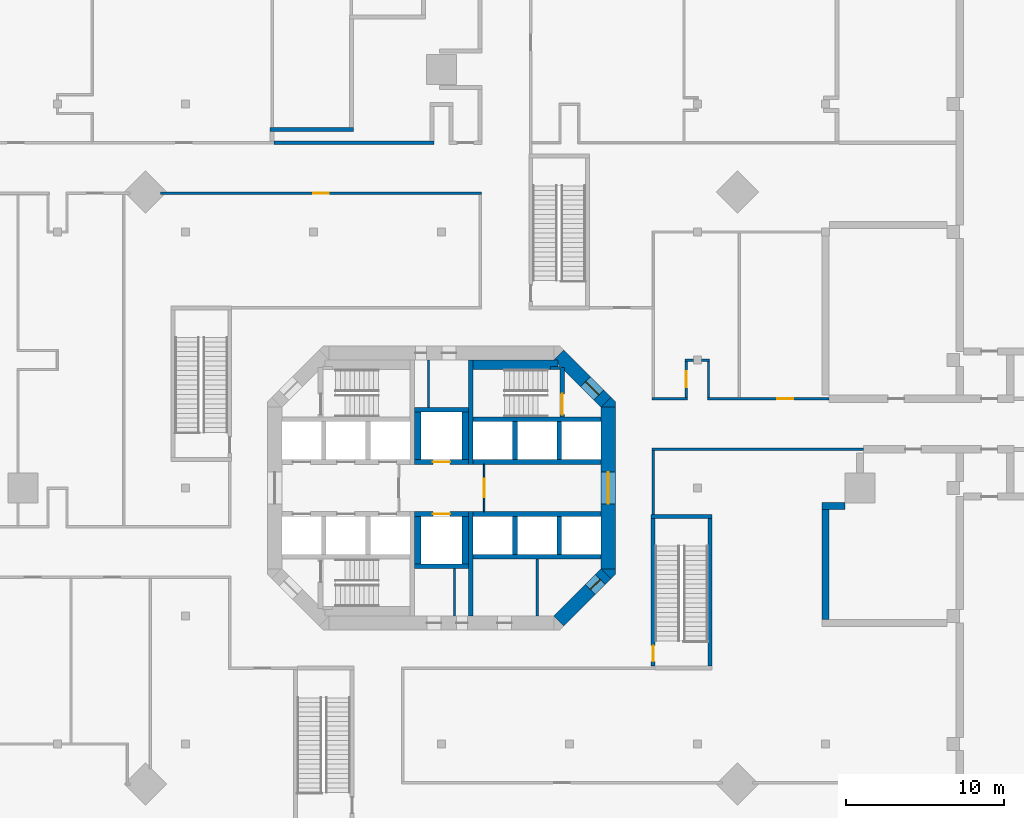
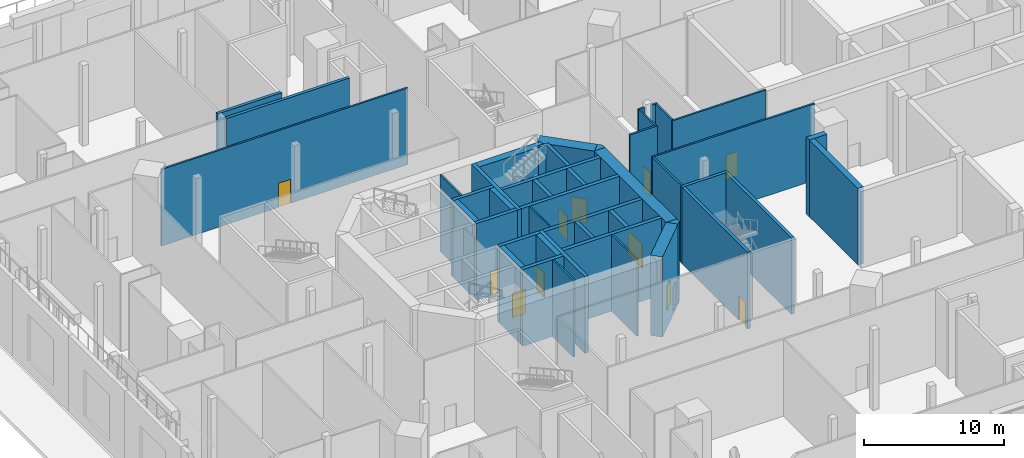
# One storey, part 10 of 21: 46 walls, 11 doors, 11 openings.
"""IFC4 building model written with IfcOpenShell, lengths in metres."""

import ifcopenshell
import ifcopenshell.guid

model = None  # the IFC model being written
_history = None  # IfcOwnerHistory: only IFC2X3 demands one
_inside = {}  # id of a spatial element -> (the spatial element, [elements in it])
_under = {}  # id of a project, library or spatial element -> (it, [spatial elements below it])
_declared = {}  # id of a project -> (the project, [libraries it declares])
_typed = {}  # id of a type object -> (the type object, [elements of that type])
_made_of = {}  # id of a material, layer set ... -> (it, [elements and type objects made of it])


def new_model(schema):
    """Start an empty IFC model of exactly this schema.

    Asked for "IFC4X3", IfcOpenShell would pick the latest addendum, in which some entities
    have other attributes; the version numbers below select the first issue.
    IFC2X3 requires an IfcOwnerHistory on every rooted entity: one is made here for all.
    """
    global model, _history
    if schema == "IFC4X3":
        model = ifcopenshell.file(schema_version=(4, 3, 0, 0))
    else:
        model = ifcopenshell.file(schema=schema)
    _inside.clear()
    _under.clear()
    _declared.clear()
    _typed.clear()
    _made_of.clear()
    _history = None
    if model.schema == "IFC2X3":
        org = make("IfcOrganization", Name="unknown")
        user = make(
            "IfcPersonAndOrganization",
            ThePerson=make("IfcPerson", FamilyName="unknown"),
            TheOrganization=org,
        )
        app = make(
            "IfcApplication",
            ApplicationDeveloper=org,
            Version="unknown",
            ApplicationFullName="unknown",
            ApplicationIdentifier="unknown",
        )
        _history = make(
            "IfcOwnerHistory",
            OwningUser=user,
            OwningApplication=app,
            ChangeAction="ADDED",
            CreationDate=0,
        )
    return model


def make(cls, **values):
    """One entity of the class cls with the attributes given. An attribute that is None is left unset."""
    return model.create_entity(
        cls, **{name: value for name, value in values.items() if value is not None}
    )


def rooted(cls, **values):
    """An entity with a GlobalId (a new one), such as an element, a storey or a relation."""
    return make(cls, GlobalId=ifcopenshell.guid.new(), OwnerHistory=_history, **values)


def si_unit(unit_type, name, prefix=None):
    """IfcSIUnit, for example si_unit("LENGTHUNIT", "METRE", prefix="MILLI")."""
    return make("IfcSIUnit", UnitType=unit_type, Prefix=prefix, Name=name)


def assignment(units):
    """IfcUnitAssignment: the units of a project."""
    return None if units is None else make("IfcUnitAssignment", Units=units)


def point(xyz):
    """IfcCartesianPoint."""
    return None if xyz is None else make("IfcCartesianPoint", Coordinates=xyz)


def direction(xyz):
    """IfcDirection."""
    return None if xyz is None else make("IfcDirection", DirectionRatios=xyz)


def frame(location, z_axis=None, x_axis=None):
    """IfcAxis2Placement3D, a coordinate frame: its origin and axes. An axis left out is left unset."""
    return make(
        "IfcAxis2Placement3D",
        Location=point(location),
        Axis=direction(z_axis),
        RefDirection=direction(x_axis),
    )


def frame_2d(location, x_axis=None):
    """IfcAxis2Placement2D, a coordinate frame in the plane: its origin and x axis."""
    return make(
        "IfcAxis2Placement2D", Location=point(location), RefDirection=direction(x_axis)
    )


def origin():
    """The frame at (0, 0, 0) with its axes left unset."""
    return frame((0.0, 0.0, 0.0))


def place(relative_to, where):
    """IfcLocalPlacement: puts the frame where relative to a parent placement (None: the world)."""
    return make(
        "IfcLocalPlacement", PlacementRelTo=relative_to, RelativePlacement=where
    )


def context(
    kind, dimensions, precision=None, world=None, true_north=None, identifier=None
):
    """IfcGeometricRepresentationContext, for example the 3D "Model" context."""
    return make(
        "IfcGeometricRepresentationContext",
        ContextIdentifier=identifier,
        ContextType=kind,
        CoordinateSpaceDimension=dimensions,
        Precision=precision,
        WorldCoordinateSystem=world,
        TrueNorth=true_north,
    )


def subcontext(parent, identifier, kind, view, scale=None):
    """IfcGeometricRepresentationSubContext, for example "Body" below "Model"."""
    return make(
        "IfcGeometricRepresentationSubContext",
        ContextIdentifier=identifier,
        ContextType=kind,
        ParentContext=parent,
        TargetScale=scale,
        TargetView=view,
    )


def project(units=None, contexts=None):
    """IfcProject with its units and contexts."""
    return rooted(
        "IfcProject",
        Name="project",
        RepresentationContexts=contexts,
        UnitsInContext=assignment(units),
    )


def spatial(cls, under=None, at=None, **own):
    """A site, building, storey or space (cls), placed at a placement, below another one or the project."""
    s = rooted(cls, ObjectPlacement=at, **own)
    if under is not None:
        _under.setdefault(under.id(), (under, []))[1].append(s)
    return s


def polyline(points):
    """IfcPolyline through the points."""
    return make("IfcPolyline", Points=[point(p) for p in points])


def profile(cls, at=None, kind="AREA", **sizes):
    """A parametric profile (cls). Its sizes go by their IFC names, for example OverallWidth=200.0."""
    return make(cls, ProfileType=kind, Position=at, **sizes)


def rectangle(**sizes):
    """IfcRectangleProfileDef."""
    return profile("IfcRectangleProfileDef", **sizes)


def outline(outer, holes=None, kind="AREA"):
    """IfcArbitraryClosedProfileDef: a profile drawn as a closed curve; with holes, ...WithVoids."""
    if holes is None:
        return make("IfcArbitraryClosedProfileDef", ProfileType=kind, OuterCurve=outer)
    return make(
        "IfcArbitraryProfileDefWithVoids",
        ProfileType=kind,
        OuterCurve=outer,
        InnerCurves=holes,
    )


def extrude(swept, where, along, depth):
    """IfcExtrudedAreaSolid: the profile swept, set in the frame where, extruded along a direction by depth."""
    return make(
        "IfcExtrudedAreaSolid",
        SweptArea=swept,
        Position=where,
        ExtrudedDirection=direction(along),
        Depth=depth,
    )


def shape(context_of_items, identifier, shape_type, items):
    """IfcShapeRepresentation: the items that make up one representation, for example the "Body"."""
    return make(
        "IfcShapeRepresentation",
        ContextOfItems=context_of_items,
        RepresentationIdentifier=identifier,
        RepresentationType=shape_type,
        Items=items,
    )


def material(Name=None, Category=None):
    """IfcMaterial."""
    return make("IfcMaterial", Name=Name, Category=Category)


def layer(
    of_material, thickness, ventilated=None, Name=None, Category=None, Priority=None
):
    """IfcMaterialLayer: one layer of a wall or slab, of a material (None: an air gap)."""
    return make(
        "IfcMaterialLayer",
        Material=of_material,
        LayerThickness=thickness,
        IsVentilated=ventilated,
        Name=Name,
        Category=Category,
        Priority=Priority,
    )


def layer_set(layers, Name=None):
    """IfcMaterialLayerSet."""
    return make("IfcMaterialLayerSet", MaterialLayers=layers, LayerSetName=Name)


def made_of(thing, what):
    """Note that an element or type object is made of a material, layer set ...; save() writes the relation."""
    if what is not None:
        _made_of.setdefault(what.id(), (what, []))[1].append(thing)
    return thing


def type_object(cls, material=None, **own):
    """A type object (cls), such as IfcWallType, which elements share."""
    return made_of(rooted(cls, **own), material)


def element(
    cls,
    number,
    at=None,
    inside=None,
    cuts=None,
    type_object=None,
    material=None,
    context=None,
    identifier="Body",
    shape_type=None,
    held_by="IfcProductDefinitionShape",
    body=None,
    shapes=None,
    **own,
):
    """One element of the class cls, such as IfcWall. Its Tag is "e" and its number.

    at: its placement. inside: the storey or other place that contains it. cuts: it is an
    opening in that element (IfcRelVoidsElement). A single representation is given by context,
    identifier, shape_type and body (its items); several are given by shapes. held_by: the class
    of the entity that holds the representations. save() writes the other relations.
    """
    e = rooted(cls, Tag="e%d" % number, ObjectPlacement=at, **own)
    if body is not None:
        shapes = [shape(context, identifier, shape_type, body)]
    if shapes is not None:
        e.Representation = make(held_by, Representations=shapes)
    if inside is not None:
        _inside.setdefault(inside.id(), (inside, []))[1].append(e)
    if cuts is not None:
        rooted(
            "IfcRelVoidsElement", RelatingBuildingElement=cuts, RelatedOpeningElement=e
        )
    if type_object is not None:
        _typed.setdefault(type_object.id(), (type_object, []))[1].append(e)
    return made_of(e, material)


def fill(opening, filler):
    """IfcRelFillsElement: the door or window that sits in an opening."""
    return rooted(
        "IfcRelFillsElement",
        RelatingOpeningElement=opening,
        RelatedBuildingElement=filler,
    )


def aggregate(whole, parts):
    """IfcRelAggregates: a whole, such as a stair, and the parts it consists of."""
    return rooted("IfcRelAggregates", RelatingObject=whole, RelatedObjects=parts)


def save(model, path):
    """Write the relations noted so far, then the file.

    IfcRelAggregates (storeys below a building ...), IfcRelContainedInSpatialStructure (elements
    in a storey), IfcRelDefinesByType, IfcRelAssociatesMaterial and IfcRelDeclares: one each for
    every whole, place, type object, material and project.
    """
    for whole, parts in _under.values():
        aggregate(whole, parts)
    for where, things in _inside.values():
        rooted(
            "IfcRelContainedInSpatialStructure",
            RelatedElements=things,
            RelatingStructure=where,
        )
    for kind, things in _typed.values():
        rooted("IfcRelDefinesByType", RelatedObjects=things, RelatingType=kind)
    for what, things in _made_of.values():
        rooted("IfcRelAssociatesMaterial", RelatedObjects=things, RelatingMaterial=what)
    for by, libraries in _declared.values():
        rooted("IfcRelDeclares", RelatingContext=by, RelatedDefinitions=libraries)
    model.write(path)


model = new_model("IFC4")

# Units and contexts
model_context = context("Model", 3, precision=1e-05, world=origin(), true_north=direction((0.0, 1.0)))
body_context = subcontext(model_context, "Body", "Model", "MODEL_VIEW")
ifc_project = project(units=[si_unit("LENGTHUNIT", "METRE"), si_unit("AREAUNIT", "SQUARE_METRE"), si_unit("VOLUMEUNIT", "CUBIC_METRE"), si_unit("PLANEANGLEUNIT", "RADIAN"), si_unit("MASSUNIT", "GRAM", prefix="KILO")], contexts=[model_context])

# Site, building, storey
site_placement = place(None, origin())
site = spatial("IfcSite", under=ifc_project, at=site_placement, CompositionType="ELEMENT")
building_placement = place(site_placement, origin())
building = spatial("IfcBuilding", under=site, at=building_placement, Name="Torre Triforio", CompositionType="ELEMENT")
storey_placement = place(building_placement, frame((0.0, 0.0, 6.0)))
storey = spatial("IfcBuildingStorey", under=building, at=storey_placement, Name="L01", CompositionType="ELEMENT", Elevation=6.0)

# Walls
ifc_material_1 = material(Name="Concrete C60", Category="concrete")
ifc_layer_1 = layer(ifc_material_1, 0.300048828125)
ifc_layer_set_1 = layer_set([ifc_layer_1], Name="Concrete C60")
wall_type_1 = type_object("IfcWallType", Name="Core wall 300 mm C60 EI 120", PredefinedType="SHEAR", material=ifc_layer_set_1)
for number, where, z_axis, x_axis, name in (
    (1, (1.85009765625, 1.5, 0.0), (0.0, 0.0, 1.0), (0.0, 1.0, 0.0), "Core wall"),
    (2, (1.85009765625, -8.10009765625, 0.0), (0.0, 0.0, 1.0), (0.0, 1.0, 0.0), "Core wall"),
):
    element("IfcWall", number, at=place(storey_placement, frame(where, z_axis=z_axis, x_axis=x_axis)), inside=storey, type_object=wall_type_1, Name=name, PredefinedType="SHEAR", context=body_context, shape_type="SweptSolid", body=[
        extrude(rectangle(XDim=6.60009765625, YDim=0.300048828125, at=frame_2d((3.300048828125, 0.0))), origin(), (0.0, 0.0, 1.0), 6.679931640625),
    ])

# Wall, opening, door
ifc_layer_2 = layer(ifc_material_1, 0.89990234375)
ifc_layer_set_2 = layer_set([ifc_layer_2], Name="Concrete C60")
wall_type_2 = type_object("IfcWallType", Name="Core wall 900 mm C60 EI 120", PredefinedType="SHEAR", material=ifc_layer_set_2)
wall_1_placement = place(storey_placement, frame((10.550048828125, -5.1298828125, -0.320068359375), z_axis=(0.0, 0.0, 1.0), x_axis=(0.0, 1.0, 0.0)))
wall_1 = element("IfcWall", 3, at=wall_1_placement, inside=storey, type_object=wall_type_2, Name="Core wall", PredefinedType="SHEAR", context=body_context, shape_type="SweptSolid", body=[
    extrude(rectangle(XDim=10.259765625, YDim=0.89990234375, at=frame_2d((5.1298828125, 0.0))), origin(), (0.0, 0.0, 1.0), 7.0),
])
opening_1_placement = place(wall_1_placement, frame((4.1298828125, 0.0, 0.320068359375)))
opening_1 = element("IfcOpeningElement", 4, at=opening_1_placement, cuts=wall_1, Name="Opening E-RING", PredefinedType="OPENING", context=body_context, shape_type="SweptSolid", body=[
    extrude(rectangle(XDim=2.0, YDim=2.10009765625, at=frame_2d((1.0, 1.050048828125))), frame((0.0, 0.4599609375, 0.0), z_axis=(0.0, -1.0, 0.0), x_axis=(1.0, 0.0, 0.0)), (0.0, 0.0, 1.0), 0.919921875),
])
ifc_material_2 = material(Name="Hollow metal fire door leaf")
door_type_1 = type_object("IfcDoorType", Name="Lobby door 2000 x 2100 EI 60", OperationType="DOUBLE_DOOR_SINGLE_SWING", PredefinedType="DOOR", material=ifc_material_2)
door_1_placement = place(opening_1_placement, origin())
door_1 = element("IfcDoor", 5, at=door_1_placement, inside=storey, type_object=door_type_1, Name="Core door E-RING", OperationType="DOUBLE_DOOR_SINGLE_SWING", OverallHeight=2.10009765625, OverallWidth=2.0, PredefinedType="DOOR", context=body_context, shape_type="SweptSolid", body=[
    extrude(rectangle(XDim=2.0, YDim=2.10009765625, at=frame_2d((1.0, 1.050048828125))), frame((0.0, 0.02490234375, 0.0), z_axis=(0.0, -1.0, 0.0), x_axis=(1.0, 0.0, 0.0)), (0.0, 0.0, 1.0), 0.050048828125),
])
fill(opening_1, door_1)

wall_2_placement = place(storey_placement, frame((7.418212890625, 8.418212890625, -0.320068359375), z_axis=(0.0, 0.0, 1.0), x_axis=(0.707106781187, -0.707106781187, 0.0)))
wall_2 = element("IfcWall", 6, at=wall_2_placement, inside=storey, type_object=wall_type_2, Name="Core wall", PredefinedType="SHEAR", context=body_context, shape_type="SweptSolid", body=[
    extrude(rectangle(XDim=4.24267578125, YDim=0.89990234375, at=frame_2d((2.121337890625, 0.0))), origin(), (0.0, 0.0, 1.0), 7.0),
])
opening_2_placement = place(wall_2_placement, frame((2.392578125, 0.0, 0.320068359375)))
opening_2 = element("IfcOpeningElement", 7, at=opening_2_placement, cuts=wall_2, Name="Opening ST2-EXIT", PredefinedType="OPENING", context=body_context, shape_type="SweptSolid", body=[
    extrude(rectangle(XDim=1.199951171875, YDim=2.10009765625, at=frame_2d((0.60009765625, 1.050048828125))), frame((0.0, 0.4599609375, 0.0), z_axis=(0.0, -1.0, 0.0), x_axis=(1.0, 0.0, 0.0)), (0.0, 0.0, 1.0), 0.919921875),
])
door_type_2 = type_object("IfcDoorType", Name="Stair lobby door 1200 x 2100 EI 60", OperationType="NOTDEFINED", PredefinedType="DOOR", material=ifc_material_2)
door_2_placement = place(opening_2_placement, origin())
door_2 = element("IfcDoor", 8, at=door_2_placement, inside=storey, type_object=door_type_2, Name="Core door ST2-EXIT", OperationType="SINGLE_SWING_RIGHT", OverallHeight=2.10009765625, OverallWidth=1.199951171875, PredefinedType="DOOR", context=body_context, shape_type="SweptSolid", body=[
    extrude(rectangle(XDim=1.199951171875, YDim=2.10009765625, at=frame_2d((0.60009765625, 1.050048828125))), frame((0.0, 0.02490234375, 0.0), z_axis=(0.0, -1.0, 0.0), x_axis=(1.0, 0.0, 0.0)), (0.0, 0.0, 1.0), 0.050048828125),
])
fill(opening_2, door_2)

wall_3_placement = place(storey_placement, frame((10.418212890625, -5.418212890625, -0.320068359375), z_axis=(0.0, 0.0, 1.0), x_axis=(-0.707106781187, -0.707106781187, 0.0)))
wall_3 = element("IfcWall", 9, at=wall_3_placement, inside=storey, type_object=wall_type_2, Name="Core wall", PredefinedType="SHEAR", context=body_context, shape_type="SweptSolid", body=[
    extrude(rectangle(XDim=4.24267578125, YDim=0.89990234375, at=frame_2d((2.121337890625, 0.0))), origin(), (0.0, 0.0, 1.0), 7.0),
])
opening_3_placement = place(wall_3_placement, frame((0.52001953125, 0.0, 0.320068359375)))
opening_3 = element("IfcOpeningElement", 10, at=opening_3_placement, cuts=wall_3, Name="Opening SE-02", PredefinedType="OPENING", context=body_context, shape_type="SweptSolid", body=[
    extrude(rectangle(XDim=0.89990234375, YDim=2.10009765625, at=frame_2d((0.449951171875, 1.050048828125))), frame((0.0, 0.4599609375, 0.0), z_axis=(0.0, -1.0, 0.0), x_axis=(1.0, 0.0, 0.0)), (0.0, 0.0, 1.0), 0.919921875),
])
door_type_3 = type_object("IfcDoorType", Name="Room door 900 x 2100 EI 60", OperationType="NOTDEFINED", PredefinedType="DOOR", material=ifc_material_2)
door_3_placement = place(opening_3_placement, origin())
door_3 = element("IfcDoor", 11, at=door_3_placement, inside=storey, type_object=door_type_3, Name="Core door SE-02", OperationType="SINGLE_SWING_RIGHT", OverallHeight=2.10009765625, OverallWidth=0.89990234375, PredefinedType="DOOR", context=body_context, shape_type="SweptSolid", body=[
    extrude(rectangle(XDim=0.89990234375, YDim=2.10009765625, at=frame_2d((0.449951171875, 1.050048828125))), frame((0.0, 0.02490234375, 0.0), z_axis=(0.0, -1.0, 0.0), x_axis=(1.0, 0.0, 0.0)), (0.0, 0.0, 1.0), 0.050048828125),
])
fill(opening_3, door_3)

# Walls
wall_4_placement = place(storey_placement, frame((0.0, 0.0, -0.320068359375)))
element("IfcWall", 12, at=wall_4_placement, inside=storey, type_object=wall_type_2, Name="Core wall", PredefinedType="SHEAR", context=body_context, shape_type="SweptSolid", body=[
    extrude(outline(polyline([(11.0, -5.472900390625), (10.736328125, -5.736328125), (10.1298828125, -5.1298828125), (11.0, -5.1298828125), (11.0, -5.472900390625)])), origin(), (0.0, 0.0, 1.0), 7.0),
])
wall_5_placement = place(storey_placement, frame((0.0, 0.0, -0.320068359375)))
element("IfcWall", 13, at=wall_5_placement, inside=storey, type_object=wall_type_2, Name="Core wall", PredefinedType="SHEAR", context=body_context, shape_type="SweptSolid", body=[
    extrude(outline(polyline([(11.0, 5.472900390625), (11.0, 5.1298828125), (10.1298828125, 5.1298828125), (10.736328125, 5.736328125), (11.0, 5.472900390625)])), origin(), (0.0, 0.0, 1.0), 7.0),
])
ifc_material_3 = material(Name="Plasterboard on metal studs")
ifc_layer_3 = layer(ifc_material_3, 0.14990234375)
ifc_layer_set_3 = layer_set([ifc_layer_3], Name="Plasterboard on metal studs")
wall_type_3 = type_object("IfcWallType", Name="Corridor wall 150 EI 60", PredefinedType="PARTITIONING", material=ifc_layer_set_3)
wall_6_placement = place(storey_placement, frame((13.324951171875, 5.64990234375, 0.0), z_axis=(0.0, 0.0, 1.0), x_axis=(1.0, 0.0, 0.0)))
element("IfcWall", 14, at=wall_6_placement, inside=storey, type_object=wall_type_3, Name="Corridor wall L01 076", PredefinedType="PARTITIONING", context=body_context, shape_type="SweptSolid", body=[
    extrude(rectangle(XDim=2.25, YDim=0.14990234375, at=frame_2d((1.125, 0.0))), origin(), (0.0, 0.0, 1.0), 6.679931640625),
])

# Wall, opening, door
wall_7_placement = place(storey_placement, frame((16.824951171875, 5.64990234375, 0.0), z_axis=(0.0, 0.0, 1.0), x_axis=(1.0, 0.0, 0.0)))
wall_7 = element("IfcWall", 15, at=wall_7_placement, inside=storey, type_object=wall_type_3, Name="Corridor wall L01 077", PredefinedType="PARTITIONING", context=body_context, shape_type="SweptSolid", body=[
    extrude(rectangle(XDim=7.699951171875, YDim=0.14990234375, at=frame_2d((3.85009765625, 0.0))), origin(), (0.0, 0.0, 1.0), 6.679931640625),
])
opening_4_placement = place(wall_7_placement, frame((4.43505859375, 0.0, 0.0)))
opening_4 = element("IfcOpeningElement", 16, at=opening_4_placement, cuts=wall_7, Name="Opening P1-30", PredefinedType="OPENING", context=body_context, shape_type="SweptSolid", body=[
    extrude(rectangle(XDim=1.0, YDim=2.10009765625, at=frame_2d((0.5, 1.050048828125))), frame((0.0, 0.0849609375, 0.0), z_axis=(0.0, -1.0, 0.0), x_axis=(1.0, 0.0, 0.0)), (0.0, 0.0, 1.0), 0.169921875),
])
ifc_material_4 = material(Name="Timber door leaf", Category="wood")
door_type_4 = type_object("IfcDoorType", Name="Single door 1000 x 2100 EI 30", OperationType="NOTDEFINED", PredefinedType="DOOR", material=ifc_material_4)
door_4_placement = place(opening_4_placement, origin())
door_4 = element("IfcDoor", 17, at=door_4_placement, inside=storey, type_object=door_type_4, Name="Door P1-30", OperationType="SINGLE_SWING_LEFT", OverallHeight=2.10009765625, OverallWidth=1.0, PredefinedType="DOOR", context=body_context, shape_type="SweptSolid", body=[
    extrude(rectangle(XDim=1.0, YDim=2.10009765625, at=frame_2d((0.5, 1.050048828125))), frame((0.0, 0.02490234375, 0.0), z_axis=(0.0, -1.0, 0.0), x_axis=(1.0, 0.0, 0.0)), (0.0, 0.0, 1.0), 0.050048828125),
])
fill(opening_4, door_4)

# Walls
wall_8_placement = place(storey_placement, frame((15.425048828125, 8.080078125, 0.0), z_axis=(0.0, 0.0, 1.0), x_axis=(1.0, 0.0, 0.0)))
element("IfcWall", 18, at=wall_8_placement, inside=storey, type_object=wall_type_3, Name="Corridor wall L01 078", PredefinedType="PARTITIONING", context=body_context, shape_type="SweptSolid", body=[
    extrude(rectangle(XDim=0.514892578125, YDim=0.14990234375, at=frame_2d((0.25732421875, 0.0))), origin(), (0.0, 0.0, 1.0), 6.679931640625),
])
wall_9_placement = place(storey_placement, frame((16.4599609375, 8.080078125, 0.0), z_axis=(0.0, 0.0, 1.0), x_axis=(1.0, 0.0, 0.0)))
element("IfcWall", 19, at=wall_9_placement, inside=storey, type_object=wall_type_3, Name="Corridor wall L01 079", PredefinedType="PARTITIONING", context=body_context, shape_type="SweptSolid", body=[
    extrude(rectangle(XDim=0.51513671875, YDim=0.14990234375, at=frame_2d((0.257568359375, 0.0))), origin(), (0.0, 0.0, 1.0), 6.679931640625),
])

# Wall, opening, door
wall_10_placement = place(storey_placement, frame((15.5, 5.72509765625, 0.0), z_axis=(0.0, 0.0, 1.0), x_axis=(0.0, 1.0, 0.0)))
wall_10 = element("IfcWall", 20, at=wall_10_placement, inside=storey, type_object=wall_type_3, Name="Corridor wall L01 080", PredefinedType="PARTITIONING", context=body_context, shape_type="SweptSolid", body=[
    extrude(rectangle(XDim=2.27978515625, YDim=0.14990234375, at=frame_2d((1.139892578125, 0.0))), origin(), (0.0, 0.0, 1.0), 6.679931640625),
])
opening_5_placement = place(wall_10_placement, frame((0.64990234375, 0.0, 0.0)))
opening_5 = element("IfcOpeningElement", 21, at=opening_5_placement, cuts=wall_10, Name="Opening P1-29", PredefinedType="OPENING", context=body_context, shape_type="SweptSolid", body=[
    extrude(rectangle(XDim=1.0, YDim=2.10009765625, at=frame_2d((0.5, 1.050048828125))), frame((0.0, 0.0849609375, 0.0), z_axis=(0.0, -1.0, 0.0), x_axis=(1.0, 0.0, 0.0)), (0.0, 0.0, 1.0), 0.169921875),
])
door_5_placement = place(opening_5_placement, origin())
door_5 = element("IfcDoor", 22, at=door_5_placement, inside=storey, type_object=door_type_4, Name="Door P1-29", OperationType="SINGLE_SWING_LEFT", OverallHeight=2.10009765625, OverallWidth=1.0, PredefinedType="DOOR", context=body_context, shape_type="SweptSolid", body=[
    extrude(rectangle(XDim=1.0, YDim=2.10009765625, at=frame_2d((0.5, 1.050048828125))), frame((0.0, 0.02490234375, 0.0), z_axis=(0.0, -1.0, 0.0), x_axis=(1.0, 0.0, 0.0)), (0.0, 0.0, 1.0), 0.050048828125),
])
fill(opening_5, door_5)

# Walls
wall_11_placement = place(storey_placement, frame((16.89990234375, 5.72509765625, 0.0), z_axis=(0.0, 0.0, 1.0), x_axis=(0.0, 1.0, 0.0)))
element("IfcWall", 23, at=wall_11_placement, inside=storey, type_object=wall_type_3, Name="Corridor wall L01 081", PredefinedType="PARTITIONING", context=body_context, shape_type="SweptSolid", body=[
    extrude(rectangle(XDim=2.27978515625, YDim=0.14990234375, at=frame_2d((1.139892578125, 0.0))), origin(), (0.0, 0.0, 1.0), 6.679931640625),
])
wall_12_placement = place(storey_placement, frame((13.324951171875, 2.449951171875, 0.0), z_axis=(0.0, 0.0, 1.0), x_axis=(1.0, 0.0, 0.0)))
element("IfcWall", 24, at=wall_12_placement, inside=storey, type_object=wall_type_3, Name="Corridor wall L01 082", PredefinedType="PARTITIONING", context=body_context, shape_type="SweptSolid", body=[
    extrude(rectangle(XDim=13.380126953125, YDim=0.14990234375, at=frame_2d((6.68994140625, 0.0))), origin(), (0.0, 0.0, 1.0), 6.679931640625),
])

# Wall, opening, door
wall_13_placement = place(storey_placement, frame((-17.7783203125, 18.64990234375, 0.0), z_axis=(0.0, 0.0, 1.0), x_axis=(1.0, 0.0, 0.0)))
wall_13 = element("IfcWall", 25, at=wall_13_placement, inside=storey, type_object=wall_type_3, Name="Corridor wall L01 142", PredefinedType="PARTITIONING", context=body_context, shape_type="SweptSolid", body=[
    extrude(rectangle(XDim=20.30322265625, YDim=0.14990234375, at=frame_2d((10.151611328125, 0.0))), origin(), (0.0, 0.0, 1.0), 6.679931640625),
])
opening_6_placement = place(wall_13_placement, frame((9.64990234375, 0.0, 0.0)))
opening_6 = element("IfcOpeningElement", 26, at=opening_6_placement, cuts=wall_13, Name="Opening P1-42", PredefinedType="OPENING", context=body_context, shape_type="SweptSolid", body=[
    extrude(rectangle(XDim=1.0, YDim=2.10009765625, at=frame_2d((0.5, 1.050048828125))), frame((0.0, 0.0849609375, 0.0), z_axis=(0.0, -1.0, 0.0), x_axis=(1.0, 0.0, 0.0)), (0.0, 0.0, 1.0), 0.169921875),
])
door_6_placement = place(opening_6_placement, origin())
door_6 = element("IfcDoor", 27, at=door_6_placement, inside=storey, type_object=door_type_4, Name="Door P1-42", OperationType="SINGLE_SWING_LEFT", OverallHeight=2.10009765625, OverallWidth=1.0, PredefinedType="DOOR", context=body_context, shape_type="SweptSolid", body=[
    extrude(rectangle(XDim=1.0, YDim=2.10009765625, at=frame_2d((0.5, 1.050048828125))), frame((0.0, 0.02490234375, 0.0), z_axis=(0.0, -1.0, 0.0), x_axis=(1.0, 0.0, 0.0)), (0.0, 0.0, 1.0), 0.050048828125),
])
fill(opening_6, door_6)

# Wall
wall_14_placement = place(storey_placement, frame((13.39990234375, -1.675048828125, 0.0), z_axis=(0.0, 0.0, 1.0), x_axis=(0.0, 1.0, 0.0)))
element("IfcWall", 28, at=wall_14_placement, inside=storey, type_object=wall_type_3, Name="Corridor wall L01 205", PredefinedType="PARTITIONING", context=body_context, shape_type="SweptSolid", body=[
    extrude(rectangle(XDim=4.050048828125, YDim=0.14990234375, at=frame_2d((2.02490234375, 0.0))), origin(), (0.0, 0.0, 1.0), 6.679931640625),
])

# Wall, opening, door
ifc_material_5 = material(Name="Block and board partition")
ifc_layer_4 = layer(ifc_material_5, 0.10009765625)
ifc_layer_set_4 = layer_set([ifc_layer_4], Name="Block and board partition")
wall_type_4 = type_object("IfcWallType", Name="Partition 100 mm EI 120", PredefinedType="PARTITIONING", material=ifc_layer_set_4)
wall_15_placement = place(storey_placement, frame((2.699951171875, -1.5, 0.0), z_axis=(0.0, 0.0, 1.0), x_axis=(0.0, 1.0, 0.0)))
wall_15 = element("IfcWall", 29, at=wall_15_placement, inside=storey, type_object=wall_type_4, Name="Partition", PredefinedType="PARTITIONING", context=body_context, shape_type="SweptSolid", body=[
    extrude(rectangle(XDim=3.0, YDim=0.10009765625, at=frame_2d((1.5, 0.0))), origin(), (0.0, 0.0, 1.0), 6.679931640625),
])
opening_7_placement = place(wall_15_placement, frame((0.89990234375, 0.0, 0.0)))
opening_7 = element("IfcOpeningElement", 30, at=opening_7_placement, cuts=wall_15, Name="Opening FF-E", PredefinedType="OPENING", context=body_context, shape_type="SweptSolid", body=[
    extrude(rectangle(XDim=1.199951171875, YDim=2.10009765625, at=frame_2d((0.60009765625, 1.050048828125))), frame((0.0, 0.06005859375, 0.0), z_axis=(0.0, -1.0, 0.0), x_axis=(1.0, 0.0, 0.0)), (0.0, 0.0, 1.0), 0.1201171875),
])
door_type_5 = type_object("IfcDoorType", Name="Fire-fighting lobby door 1200 x 2100 EI 60", OperationType="NOTDEFINED", PredefinedType="DOOR", material=ifc_material_2)
door_7_placement = place(opening_7_placement, origin())
door_7 = element("IfcDoor", 31, at=door_7_placement, inside=storey, type_object=door_type_5, Name="Core door FF-E", OperationType="SINGLE_SWING_LEFT", OverallHeight=2.10009765625, OverallWidth=1.199951171875, PredefinedType="DOOR", context=body_context, shape_type="SweptSolid", body=[
    extrude(rectangle(XDim=1.199951171875, YDim=2.10009765625, at=frame_2d((0.60009765625, 1.050048828125))), frame((0.0, 0.02490234375, 0.0), z_axis=(0.0, -1.0, 0.0), x_axis=(1.0, 0.0, 0.0)), (0.0, 0.0, 1.0), 0.050048828125),
])
fill(opening_7, door_7)

# Walls
ifc_layer_5 = layer(ifc_material_5, 0.14990234375)
ifc_layer_set_5 = layer_set([ifc_layer_5], Name="Block and board partition")
wall_type_5 = type_object("IfcWallType", Name="Partition 150 mm", PredefinedType="PARTITIONING", material=ifc_layer_set_5)
wall_16_placement = place(storey_placement, frame((6.050048828125, -8.10009765625, 0.0), z_axis=(0.0, 0.0, 1.0), x_axis=(0.0, 1.0, 0.0)))
element("IfcWall", 32, at=wall_16_placement, inside=storey, type_object=wall_type_5, Name="Partition", PredefinedType="PARTITIONING", context=body_context, shape_type="SweptSolid", body=[
    extrude(rectangle(XDim=3.60009765625, YDim=0.14990234375, at=frame_2d((1.800048828125, 0.0))), origin(), (0.0, 0.0, 1.0), 6.679931640625),
])
ifc_layer_6 = layer(ifc_material_5, 0.14990234375)
ifc_layer_set_6 = layer_set([ifc_layer_6], Name="Block and board partition")
wall_type_6 = type_object("IfcWallType", Name="Partition 150 mm EI 120", PredefinedType="PARTITIONING", material=ifc_layer_set_6)
for number, where, z_axis, x_axis, name in (
    (33, (-0.824951171875, 5.10009765625, 0.0), (0.0, 0.0, 1.0), (0.0, 1.0, 0.0), "Partition"),
    (34, (0.824951171875, -8.10009765625, 0.0), (0.0, 0.0, 1.0), (0.0, 1.0, 0.0), "Partition"),
):
    element("IfcWall", number, at=place(storey_placement, frame(where, z_axis=z_axis, x_axis=x_axis)), inside=storey, type_object=wall_type_6, Name=name, PredefinedType="PARTITIONING", context=body_context, shape_type="SweptSolid", body=[
        extrude(rectangle(XDim=3.0, YDim=0.14990234375, at=frame_2d((1.5, 0.0))), origin(), (0.0, 0.0, 1.0), 6.679931640625),
    ])
ifc_material_6 = material(Name="Masonry block", Category="masonry")
ifc_layer_7 = layer(ifc_material_6, 0.25)
ifc_layer_set_7 = layer_set([ifc_layer_7], Name="Masonry block")
wall_type_7 = type_object("IfcWallType", Name="Plant room wall 250 EI 120", PredefinedType="PARTITIONING", material=ifc_layer_set_7)
wall_17_placement = place(storey_placement, frame((-10.593017578125, 21.85009765625, 0.0), z_axis=(0.0, 0.0, 1.0), x_axis=(1.0, 0.0, 0.0)))
element("IfcWall", 35, at=wall_17_placement, inside=storey, type_object=wall_type_7, Name="Plant room wall L01 126", PredefinedType="PARTITIONING", context=body_context, shape_type="SweptSolid", body=[
    extrude(rectangle(XDim=10.117919921875, YDim=0.25, at=frame_2d((5.05908203125, 0.0))), origin(), (0.0, 0.0, 1.0), 6.679931640625),
])
wall_18_placement = place(storey_placement, frame((-10.843017578125, 22.6787109375, 0.0), z_axis=(0.0, 0.0, 1.0), x_axis=(1.0, 0.0, 0.0)))
element("IfcWall", 36, at=wall_18_placement, inside=storey, type_object=wall_type_7, Name="Plant room wall L01 234", PredefinedType="PARTITIONING", context=body_context, shape_type="SweptSolid", body=[
    extrude(rectangle(XDim=5.261962890625, YDim=0.25, at=frame_2d((2.630859375, 0.0))), origin(), (0.0, 0.0, 1.0), 6.679931640625),
])
ifc_layer_8 = layer(ifc_material_1, 0.300048828125)
ifc_layer_set_8 = layer_set([ifc_layer_8], Name="Concrete C60")
wall_type_8 = type_object("IfcWallType", Name="Shaft wall 300 mm C60 EI 120", PredefinedType="SOLIDWALL", material=ifc_layer_set_8)
for number, where, z_axis, x_axis, name in (
    (37, (2.0, 4.35009765625, 0.0), (0.0, 0.0, 1.0), (1.0, 0.0, 0.0), "Shaft wall"),
    (38, (2.0, -4.35009765625, 0.0), (0.0, 0.0, 1.0), (1.0, 0.0, 0.0), "Shaft wall"),
    (39, (2.0, 1.64990234375, 0.0), (0.0, 0.0, 1.0), (1.0, 0.0, 0.0), "Shaft wall"),
    (40, (2.0, -1.64990234375, 0.0), (0.0, 0.0, 1.0), (1.0, 0.0, 0.0), "Shaft wall"),
):
    element("IfcWall", number, at=place(storey_placement, frame(where, z_axis=z_axis, x_axis=x_axis)), inside=storey, type_object=wall_type_8, Name=name, PredefinedType="SOLIDWALL", context=body_context, shape_type="SweptSolid", body=[
        extrude(rectangle(XDim=8.10009765625, YDim=0.300048828125, at=frame_2d((4.050048828125, 0.0))), origin(), (0.0, 0.0, 1.0), 6.679931640625),
    ])
for number, where, z_axis, x_axis, name in (
    (41, (4.64990234375, 1.800048828125, 0.0), (0.0, 0.0, 1.0), (0.0, 1.0, 0.0), "Shaft wall"),
    (42, (4.64990234375, -4.199951171875, 0.0), (0.0, 0.0, 1.0), (0.0, 1.0, 0.0), "Shaft wall"),
    (43, (7.449951171875, 1.800048828125, 0.0), (0.0, 0.0, 1.0), (0.0, 1.0, 0.0), "Shaft wall"),
    (44, (7.449951171875, -4.199951171875, 0.0), (0.0, 0.0, 1.0), (0.0, 1.0, 0.0), "Shaft wall"),
):
    element("IfcWall", number, at=place(storey_placement, frame(where, z_axis=z_axis, x_axis=x_axis)), inside=storey, type_object=wall_type_8, Name=name, PredefinedType="SOLIDWALL", context=body_context, shape_type="SweptSolid", body=[
        extrude(rectangle(XDim=2.39990234375, YDim=0.300048828125, at=frame_2d((1.199951171875, 0.0))), origin(), (0.0, 0.0, 1.0), 6.679931640625),
    ])

# Wall, opening, door
wall_19_placement = place(storey_placement, frame((-1.699951171875, 1.64990234375, 0.0), z_axis=(0.0, 0.0, 1.0), x_axis=(1.0, 0.0, 0.0)))
wall_19 = element("IfcWall", 45, at=wall_19_placement, inside=storey, type_object=wall_type_8, Name="Shaft wall", PredefinedType="SOLIDWALL", context=body_context, shape_type="SweptSolid", body=[
    extrude(rectangle(XDim=3.39990234375, YDim=0.300048828125, at=frame_2d((1.699951171875, 0.0))), origin(), (0.0, 0.0, 1.0), 6.679931640625),
])
opening_8_placement = place(wall_19_placement, frame((1.14990234375, 0.0, 0.0)))
opening_8 = element("IfcOpeningElement", 46, at=opening_8_placement, cuts=wall_19, Name="Opening LD", PredefinedType="OPENING", context=body_context, shape_type="SweptSolid", body=[
    extrude(rectangle(XDim=1.10009765625, YDim=2.10009765625, at=frame_2d((0.550048828125, 1.050048828125))), frame((0.0, 0.159912109375, 0.0), z_axis=(0.0, -1.0, 0.0), x_axis=(1.0, 0.0, 0.0)), (0.0, 0.0, 1.0), 0.320068359375),
])
door_type_6 = type_object("IfcDoorType", Name="Landing door 1100 x 2100 EI 60", OperationType="DOUBLE_DOOR_SLIDING", PredefinedType="DOOR", material=ifc_material_2)
door_8_placement = place(opening_8_placement, origin())
door_8 = element("IfcDoor", 47, at=door_8_placement, inside=storey, type_object=door_type_6, Name="Landing door FFL1", OperationType="DOUBLE_DOOR_SLIDING", OverallHeight=2.10009765625, OverallWidth=1.10009765625, PredefinedType="DOOR", context=body_context, shape_type="SweptSolid", body=[
    extrude(rectangle(XDim=1.10009765625, YDim=2.10009765625, at=frame_2d((0.550048828125, 1.050048828125))), frame((0.0, 0.02490234375, 0.0), z_axis=(0.0, -1.0, 0.0), x_axis=(1.0, 0.0, 0.0)), (0.0, 0.0, 1.0), 0.050048828125),
])
fill(opening_8, door_8)

wall_20_placement = place(storey_placement, frame((-1.699951171875, -1.64990234375, 0.0), z_axis=(0.0, 0.0, 1.0), x_axis=(1.0, 0.0, 0.0)))
wall_20 = element("IfcWall", 48, at=wall_20_placement, inside=storey, type_object=wall_type_8, Name="Shaft wall", PredefinedType="SOLIDWALL", context=body_context, shape_type="SweptSolid", body=[
    extrude(rectangle(XDim=3.39990234375, YDim=0.300048828125, at=frame_2d((1.699951171875, 0.0))), origin(), (0.0, 0.0, 1.0), 6.679931640625),
])
opening_9_placement = place(wall_20_placement, frame((1.14990234375, 0.0, 0.0)))
opening_9 = element("IfcOpeningElement", 49, at=opening_9_placement, cuts=wall_20, Name="Opening LD", PredefinedType="OPENING", context=body_context, shape_type="SweptSolid", body=[
    extrude(rectangle(XDim=1.10009765625, YDim=2.10009765625, at=frame_2d((0.550048828125, 1.050048828125))), frame((0.0, 0.159912109375, 0.0), z_axis=(0.0, -1.0, 0.0), x_axis=(1.0, 0.0, 0.0)), (0.0, 0.0, 1.0), 0.320068359375),
])
door_9_placement = place(opening_9_placement, origin())
door_9 = element("IfcDoor", 50, at=door_9_placement, inside=storey, type_object=door_type_6, Name="Landing door FFL2", OperationType="DOUBLE_DOOR_SLIDING", OverallHeight=2.10009765625, OverallWidth=1.10009765625, PredefinedType="DOOR", context=body_context, shape_type="SweptSolid", body=[
    extrude(rectangle(XDim=1.10009765625, YDim=2.10009765625, at=frame_2d((0.550048828125, 1.050048828125))), frame((0.0, 0.02490234375, 0.0), z_axis=(0.0, -1.0, 0.0), x_axis=(1.0, 0.0, 0.0)), (0.0, 0.0, 1.0), 0.050048828125),
])
fill(opening_9, door_9)

# Walls
for number, where, z_axis, x_axis, name in (
    (51, (-1.699951171875, 4.949951171875, 0.0), (0.0, 0.0, 1.0), (1.0, 0.0, 0.0), "Shaft wall"),
    (52, (-1.699951171875, -4.949951171875, 0.0), (0.0, 0.0, 1.0), (1.0, 0.0, 0.0), "Shaft wall"),
):
    element("IfcWall", number, at=place(storey_placement, frame(where, z_axis=z_axis, x_axis=x_axis)), inside=storey, type_object=wall_type_8, Name=name, PredefinedType="SOLIDWALL", context=body_context, shape_type="SweptSolid", body=[
        extrude(rectangle(XDim=3.39990234375, YDim=0.300048828125, at=frame_2d((1.699951171875, 0.0))), origin(), (0.0, 0.0, 1.0), 6.679931640625),
    ])
ifc_layer_9 = layer(ifc_material_1, 0.39990234375)
ifc_layer_set_9 = layer_set([ifc_layer_9], Name="Concrete C60")
wall_type_9 = type_object("IfcWallType", Name="Shaft wall 400 mm C60 EI 120", PredefinedType="SOLIDWALL", material=ifc_layer_set_9)
for number, where, z_axis, x_axis, name in (
    (53, (-1.5, 1.800048828125, 0.0), (0.0, 0.0, 1.0), (0.0, 1.0, 0.0), "Shaft wall"),
    (54, (-1.5, -4.800048828125, 0.0), (0.0, 0.0, 1.0), (0.0, 1.0, 0.0), "Shaft wall"),
    (55, (1.5, 1.800048828125, 0.0), (0.0, 0.0, 1.0), (0.0, 1.0, 0.0), "Shaft wall"),
    (56, (1.5, -4.800048828125, 0.0), (0.0, 0.0, 1.0), (0.0, 1.0, 0.0), "Shaft wall"),
):
    element("IfcWall", number, at=place(storey_placement, frame(where, z_axis=z_axis, x_axis=x_axis)), inside=storey, type_object=wall_type_9, Name=name, PredefinedType="SOLIDWALL", context=body_context, shape_type="SweptSolid", body=[
        extrude(rectangle(XDim=3.0, YDim=0.39990234375, at=frame_2d((1.5, 0.0))), origin(), (0.0, 0.0, 1.0), 6.679931640625),
    ])

# Wall, opening, door
ifc_material_7 = material(Name="Concrete C40", Category="concrete")
ifc_layer_10 = layer(ifc_material_7, 0.25)
ifc_layer_set_10 = layer_set([ifc_layer_10], Name="Concrete C40")
wall_type_10 = type_object("IfcWallType", Name="Stair enclosure wall 250 EI 120", PredefinedType="STANDARD", material=ifc_layer_set_10)
wall_21_placement = place(storey_placement, frame((13.39990234375, -11.27490234375, 0.0), z_axis=(0.0, 0.0, 1.0), x_axis=(0.0, 1.0, 0.0)))
wall_21 = element("IfcWall", 57, at=wall_21_placement, inside=storey, type_object=wall_type_10, Name="Stair enclosure wall L01 195", PredefinedType="STANDARD", context=body_context, shape_type="SweptSolid", body=[
    extrude(rectangle(XDim=9.349853515625, YDim=0.25, at=frame_2d((4.6748046875, 0.0))), origin(), (0.0, 0.0, 1.0), 6.679931640625),
])
opening_10_placement = place(wall_21_placement, frame((0.300048828125, 0.0, 0.0)))
opening_10 = element("IfcOpeningElement", 58, at=opening_10_placement, cuts=wall_21, Name="Opening P1-02", PredefinedType="OPENING", context=body_context, shape_type="SweptSolid", body=[
    extrude(rectangle(XDim=1.0, YDim=2.10009765625, at=frame_2d((0.5, 1.050048828125))), frame((0.0, 0.135009765625, 0.0), z_axis=(0.0, -1.0, 0.0), x_axis=(1.0, 0.0, 0.0)), (0.0, 0.0, 1.0), 0.27001953125),
])
door_type_7 = type_object("IfcDoorType", Name="Stair door 1000 x 2100 EI 90", OperationType="NOTDEFINED", PredefinedType="DOOR", material=ifc_material_2)
door_10_placement = place(opening_10_placement, origin())
door_10 = element("IfcDoor", 59, at=door_10_placement, inside=storey, type_object=door_type_7, Name="Door P1-02", OperationType="SINGLE_SWING_LEFT", OverallHeight=2.10009765625, OverallWidth=1.0, PredefinedType="DOOR", context=body_context, shape_type="SweptSolid", body=[
    extrude(rectangle(XDim=1.0, YDim=2.10009765625, at=frame_2d((0.5, 1.050048828125))), frame((0.0, 0.02490234375, 0.0), z_axis=(0.0, -1.0, 0.0), x_axis=(1.0, 0.0, 0.0)), (0.0, 0.0, 1.0), 0.050048828125),
])
fill(opening_10, door_10)

# Walls
wall_22_placement = place(storey_placement, frame((13.27490234375, -1.800048828125, 0.0), z_axis=(0.0, 0.0, 1.0), x_axis=(1.0, 0.0, 0.0)))
element("IfcWall", 60, at=wall_22_placement, inside=storey, type_object=wall_type_10, Name="Stair enclosure wall L01 197", PredefinedType="STANDARD", context=body_context, shape_type="SweptSolid", body=[
    extrude(rectangle(XDim=3.85009765625, YDim=0.25, at=frame_2d((1.925048828125, 0.0))), origin(), (0.0, 0.0, 1.0), 6.679931640625),
])
wall_23_placement = place(storey_placement, frame((17.0, -11.27490234375, 0.0), z_axis=(0.0, 0.0, 1.0), x_axis=(0.0, 1.0, 0.0)))
element("IfcWall", 61, at=wall_23_placement, inside=storey, type_object=wall_type_10, Name="Stair enclosure wall L01 198", PredefinedType="STANDARD", context=body_context, shape_type="SweptSolid", body=[
    extrude(rectangle(XDim=9.349853515625, YDim=0.25, at=frame_2d((4.6748046875, 0.0))), origin(), (0.0, 0.0, 1.0), 6.679931640625),
])
ifc_layer_11 = layer(ifc_material_1, 0.199951171875)
ifc_layer_set_11 = layer_set([ifc_layer_11], Name="Concrete C60")
wall_type_11 = type_object("IfcWallType", Name="Stair wall 200 mm C60 EI 120", PredefinedType="SHEAR", material=ifc_layer_set_11)
wall_24_placement = place(storey_placement, frame((6.89990234375, 7.60009765625, 0.0), z_axis=(0.0, 0.0, 1.0), x_axis=(1.0, 0.0, 0.0)))
element("IfcWall", 62, at=wall_24_placement, inside=storey, type_object=wall_type_11, Name="Stair wall", PredefinedType="SHEAR", context=body_context, shape_type="SweptSolid", body=[
    extrude(rectangle(XDim=0.60009765625, YDim=0.199951171875, at=frame_2d((0.300048828125, 0.0))), origin(), (0.0, 0.0, 1.0), 6.679931640625),
])

# Wall, opening, door
ifc_layer_12 = layer(ifc_material_1, 0.300048828125)
ifc_layer_set_12 = layer_set([ifc_layer_12], Name="Concrete C60")
wall_type_12 = type_object("IfcWallType", Name="Stair wall 300 mm C60 EI 120", PredefinedType="SHEAR", material=ifc_layer_set_12)
wall_25_placement = place(storey_placement, frame((7.64990234375, 4.5, 0.0), z_axis=(0.0, 0.0, 1.0), x_axis=(0.0, 1.0, 0.0)))
wall_25 = element("IfcWall", 63, at=wall_25_placement, inside=storey, type_object=wall_type_12, Name="Stair wall", PredefinedType="SHEAR", context=body_context, shape_type="SweptSolid", body=[
    extrude(rectangle(XDim=3.139892578125, YDim=0.300048828125, at=frame_2d((1.56982421875, 0.0))), origin(), (0.0, 0.0, 1.0), 6.679931640625),
])
opening_11_placement = place(wall_25_placement, frame((0.139892578125, 0.0, 0.0)))
opening_11 = element("IfcOpeningElement", 64, at=opening_11_placement, cuts=wall_25, Name="Opening ST2-STA", PredefinedType="OPENING", context=body_context, shape_type="SweptSolid", body=[
    extrude(rectangle(XDim=1.320068359375, YDim=2.10009765625, at=frame_2d((0.66015625, 1.050048828125))), frame((0.0, 0.159912109375, 0.0), z_axis=(0.0, -1.0, 0.0), x_axis=(1.0, 0.0, 0.0)), (0.0, 0.0, 1.0), 0.320068359375),
])
door_type_8 = type_object("IfcDoorType", Name="Stair door 1320 x 2100 EI 90", OperationType="DOUBLE_DOOR_SINGLE_SWING", PredefinedType="DOOR", material=ifc_material_2)
door_11_placement = place(opening_11_placement, origin())
door_11 = element("IfcDoor", 65, at=door_11_placement, inside=storey, type_object=door_type_8, Name="Core door ST2-ST", OperationType="DOUBLE_DOOR_SINGLE_SWING", OverallHeight=2.10009765625, OverallWidth=1.320068359375, PredefinedType="DOOR", context=body_context, shape_type="SweptSolid", body=[
    extrude(rectangle(XDim=1.320068359375, YDim=2.10009765625, at=frame_2d((0.66015625, 1.050048828125))), frame((0.0, 0.02490234375, 0.0), z_axis=(0.0, -1.0, 0.0), x_axis=(1.0, 0.0, 0.0)), (0.0, 0.0, 1.0), 0.050048828125),
])
fill(opening_11, door_11)

# Walls
ifc_layer_13 = layer(ifc_material_1, 0.60009765625)
ifc_layer_set_13 = layer_set([ifc_layer_13], Name="Concrete C60")
wall_type_13 = type_object("IfcWallType", Name="Stair wall 600 mm C60 EI 120", PredefinedType="SHEAR", material=ifc_layer_set_13)
wall_26_placement = place(storey_placement, frame((2.0, 7.800048828125, 0.0), z_axis=(0.0, 0.0, 1.0), x_axis=(1.0, 0.0, 0.0)))
element("IfcWall", 66, at=wall_26_placement, inside=storey, type_object=wall_type_13, Name="Stair wall", PredefinedType="SHEAR", context=body_context, shape_type="SweptSolid", body=[
    extrude(rectangle(XDim=5.3701171875, YDim=0.60009765625, at=frame_2d((2.68505859375, 0.0))), origin(), (0.0, 0.0, 1.0), 6.679931640625),
])
ifc_material_8 = material(Name="Double leaf masonry acoustic wall", Category="masonry")
ifc_layer_14 = layer(ifc_material_8, 0.449951171875)
ifc_layer_set_14 = layer_set([ifc_layer_14], Name="Double leaf masonry acoustic wall")
wall_type_14 = type_object("IfcWallType", Name="Studio sound wall 450 EI 60", PredefinedType="PARTITIONING", material=ifc_layer_set_14)
wall_27_placement = place(storey_placement, frame((24.074951171875, -1.14990234375, 0.0), z_axis=(0.0, 0.0, 1.0), x_axis=(1.0, 0.0, 0.0)))
element("IfcWall", 67, at=wall_27_placement, inside=storey, type_object=wall_type_14, Name="Studio sound wall L01 039", PredefinedType="PARTITIONING", context=body_context, shape_type="SweptSolid", body=[
    extrude(rectangle(XDim=1.465087890625, YDim=0.449951171875, at=frame_2d((0.732421875, 0.0))), origin(), (0.0, 0.0, 1.0), 6.679931640625),
])
wall_28_placement = place(storey_placement, frame((24.300048828125, -8.324951171875, 0.0), z_axis=(0.0, 0.0, 1.0), x_axis=(0.0, 1.0, 0.0)))
element("IfcWall", 68, at=wall_28_placement, inside=storey, type_object=wall_type_14, Name="Studio sound wall L01 040", PredefinedType="PARTITIONING", context=body_context, shape_type="SweptSolid", body=[
    extrude(rectangle(XDim=6.949951171875, YDim=0.449951171875, at=frame_2d((3.47509765625, 0.0))), origin(), (0.0, 0.0, 1.0), 6.679931640625),
])

save(model, "model.ifc")
